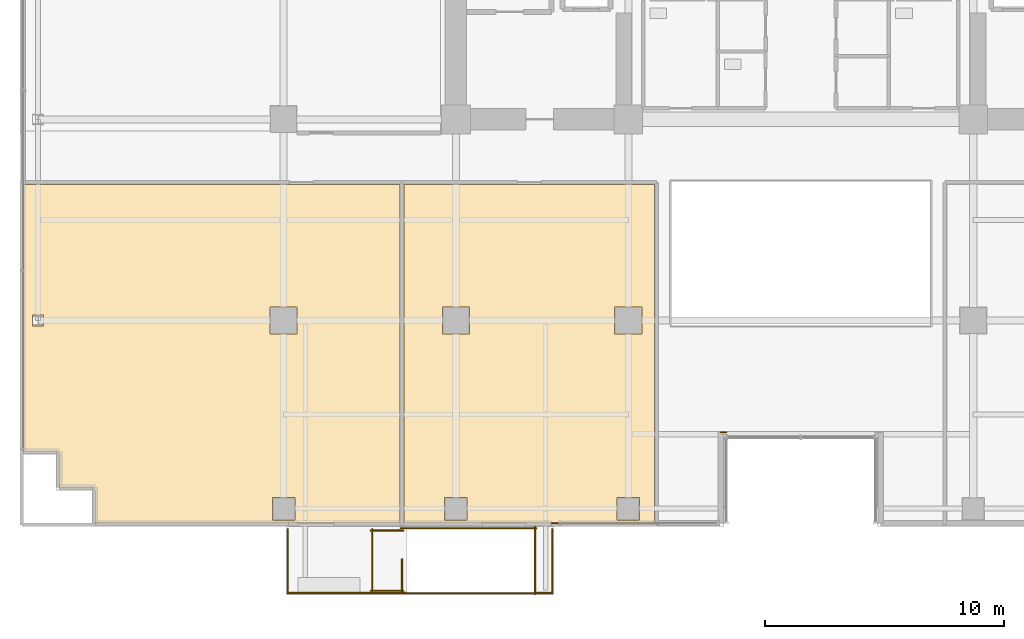
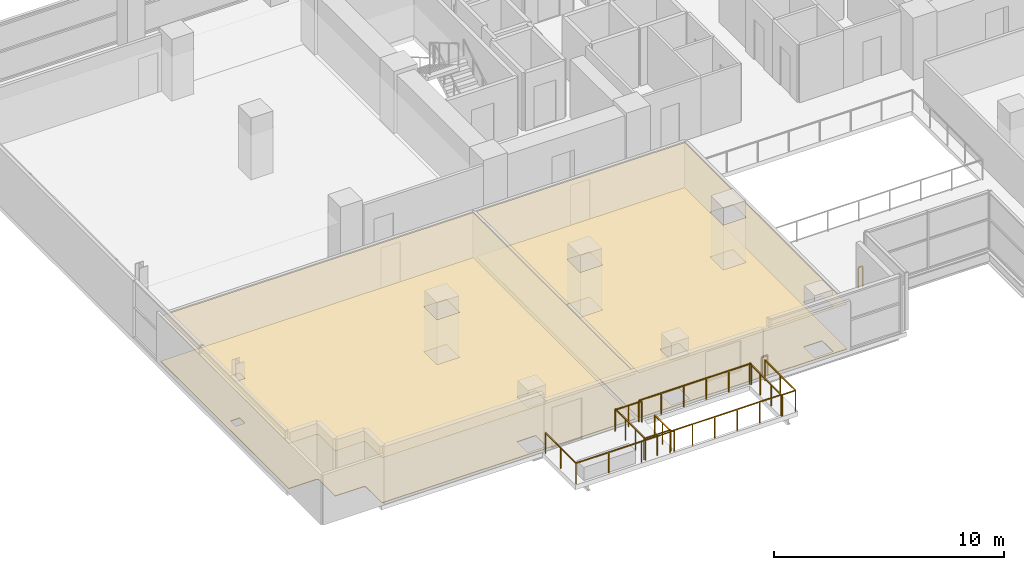
# One storey, part 26 of 30: 11 railings, 4 coverings.
"""IFC4 building model written with IfcOpenShell, lengths in metres."""

from ifc_helpers import new_model, si_unit, direction, frame, origin, origin_2d, place, context, subcontext, project, spatial, polyline, rectangle, outline, extrude, material, layer, layer_set, type_object, element, save


model = new_model("IFC4")

# Units and contexts
model_context = context("Model", 3, precision=1e-05, world=origin(), true_north=direction((0.0, 1.0)))
body_context = subcontext(model_context, "Body", "Model", "MODEL_VIEW")
ifc_project = project(units=[si_unit("LENGTHUNIT", "METRE"), si_unit("AREAUNIT", "SQUARE_METRE"), si_unit("VOLUMEUNIT", "CUBIC_METRE"), si_unit("PLANEANGLEUNIT", "RADIAN"), si_unit("MASSUNIT", "GRAM", prefix="KILO")], contexts=[model_context])

# Site, building, storey
site_placement = place(None, origin())
site = spatial("IfcSite", under=ifc_project, at=site_placement, CompositionType="ELEMENT")
building_placement = place(site_placement, origin())
building = spatial("IfcBuilding", under=site, at=building_placement, Name="Zarnakvel Exchange Tower", CompositionType="ELEMENT")
storey_placement = place(building_placement, frame((0.0, 0.0, 30.699951171875)))
storey = spatial("IfcBuildingStorey", under=building, at=storey_placement, Name="L07", CompositionType="ELEMENT", Elevation=30.699951171875)

# Coverings
ifc_material_1 = material(Name="Perforated Bronze Acoustic Metal Ceiling", Category="aluminium")
ifc_layer_1 = layer(ifc_material_1, 0.02001953125)
ifc_layer_set_1 = layer_set([ifc_layer_1], Name="Perforated Bronze Acoustic Metal Ceiling")
covering_type_1 = type_object("IfcCoveringType", Name="CLG-01", PredefinedType="CEILING", material=ifc_layer_set_1)
covering_1_placement = place(storey_placement, frame((0.0, 0.0, 2.405029296875)))
element("IfcCovering", 1, at=covering_1_placement, inside=storey, type_object=covering_type_1, Name="L07 Suspended Acoustic Ceiling (Electronic Trading Hall)", PredefinedType="CEILING", context=body_context, shape_type="SweptSolid", body=[
    extrude(outline(polyline([(-16.736083984375, -3.909912109375), (-16.736083984375, -18.050048828125), (-29.47998046875, -18.050048828125), (-29.47998046875, -16.699951171875), (-29.48046875, -16.688232421875), (-29.482421875, -16.676513671875), (-29.485107421875, -16.665283203125), (-29.489013671875, -16.654052734375), (-29.494140625, -16.643310546875), (-29.500244140625, -16.63330078125), (-29.50732421875, -16.623779296875), (-29.51513671875, -16.615234375), (-29.52392578125, -16.607177734375), (-29.533447265625, -16.600341796875), (-29.54345703125, -16.59423828125), (-29.55419921875, -16.589111328125), (-29.565185546875, -16.585205078125), (-29.57666015625, -16.582275390625), (-29.588134765625, -16.58056640625), (-29.60009765625, -16.580078125), (-30.97998046875, -16.580078125), (-30.97998046875, -15.199951171875), (-30.98046875, -15.188232421875), (-30.982421875, -15.176513671875), (-30.985107421875, -15.165283203125), (-30.989013671875, -15.154052734375), (-30.994140625, -15.143310546875), (-31.000244140625, -15.13330078125), (-31.00732421875, -15.123779296875), (-31.01513671875, -15.115234375), (-31.02392578125, -15.107177734375), (-31.033447265625, -15.100341796875), (-31.04345703125, -15.09423828125), (-31.05419921875, -15.089111328125), (-31.065185546875, -15.085205078125), (-31.07666015625, -15.082275390625), (-31.088134765625, -15.08056640625), (-31.10009765625, -15.080078125), (-32.449951171875, -15.080078125), (-32.449951171875, -3.909912109375), (-16.736083984375, -3.909912109375)]), holes=[polyline([(-21.030029296875, -10.169921875), (-21.030029296875, -9.030029296875), (-22.169921875, -9.030029296875), (-22.169921875, -10.169921875), (-21.030029296875, -10.169921875)]), polyline([(-21.1298828125, -17.919921875), (-21.1298828125, -16.97998046875), (-22.070068359375, -16.97998046875), (-22.070068359375, -17.919921875), (-21.1298828125, -17.919921875)]), polyline([(-32.075927734375, -9.83251953125), (-31.6240234375, -9.83251953125), (-31.6240234375, -9.367431640625), (-32.075927734375, -9.367431640625), (-32.075927734375, -9.83251953125)])]), origin(), (0.0, 0.0, 1.0), 0.02001953125),
])
covering_2_placement = place(storey_placement, frame((0.0, 0.0, 2.405029296875)))
element("IfcCovering", 2, at=covering_2_placement, inside=storey, type_object=covering_type_1, Name="L07 Suspended Acoustic Ceiling (Brokerage Workspace)", PredefinedType="CEILING", context=body_context, shape_type="SweptSolid", body=[
    extrude(outline(polyline([(-16.575927734375, -3.909912109375), (-6.10009765625, -3.909912109375), (-6.10009765625, -18.050048828125), (-16.575927734375, -18.050048828125), (-16.575927734375, -3.909912109375)]), holes=[polyline([(-7.77001953125, -10.169921875), (-6.6298828125, -10.169921875), (-6.6298828125, -9.030029296875), (-7.77001953125, -9.030029296875), (-7.77001953125, -10.169921875)]), polyline([(-6.72998046875, -17.919921875), (-6.72998046875, -16.97998046875), (-7.669921875, -16.97998046875), (-7.669921875, -17.919921875), (-6.72998046875, -17.919921875)]), polyline([(-13.830078125, -10.169921875), (-13.830078125, -9.030029296875), (-14.969970703125, -9.030029296875), (-14.969970703125, -10.169921875), (-13.830078125, -10.169921875)]), polyline([(-13.929931640625, -17.919921875), (-13.929931640625, -16.97998046875), (-14.8701171875, -16.97998046875), (-14.8701171875, -17.919921875), (-13.929931640625, -17.919921875)])]), origin(), (0.0, 0.0, 1.0), 0.02001953125),
])
ifc_material_2 = material(Name="Heavy-Duty Raised Access Floor Panel", Category="steel")
ifc_layer_2 = layer(ifc_material_2, 0.034912109375)
ifc_layer_set_2 = layer_set([ifc_layer_2], Name="Heavy-Duty Raised Access Floor Panel")
covering_type_2 = type_object("IfcCoveringType", Name="FLR-02", PredefinedType="FLOORING", material=ifc_layer_set_2)
covering_3_placement = place(storey_placement, origin())
element("IfcCovering", 3, at=covering_3_placement, inside=storey, type_object=covering_type_2, Name="L07 Floor Finish (Electronic Trading Hall)", PredefinedType="FLOORING", context=body_context, shape_type="SweptSolid", body=[
    extrude(outline(polyline([(-16.736083984375, -3.909912109375), (-16.736083984375, -18.050048828125), (-29.47998046875, -18.050048828125), (-29.47998046875, -16.699951171875), (-29.48046875, -16.688232421875), (-29.482421875, -16.676513671875), (-29.485107421875, -16.665283203125), (-29.489013671875, -16.654052734375), (-29.494140625, -16.643310546875), (-29.500244140625, -16.63330078125), (-29.50732421875, -16.623779296875), (-29.51513671875, -16.615234375), (-29.52392578125, -16.607177734375), (-29.533447265625, -16.600341796875), (-29.54345703125, -16.59423828125), (-29.55419921875, -16.589111328125), (-29.565185546875, -16.585205078125), (-29.57666015625, -16.582275390625), (-29.588134765625, -16.58056640625), (-29.60009765625, -16.580078125), (-30.97998046875, -16.580078125), (-30.97998046875, -15.199951171875), (-30.98046875, -15.188232421875), (-30.982421875, -15.176513671875), (-30.985107421875, -15.165283203125), (-30.989013671875, -15.154052734375), (-30.994140625, -15.143310546875), (-31.000244140625, -15.13330078125), (-31.00732421875, -15.123779296875), (-31.01513671875, -15.115234375), (-31.02392578125, -15.107177734375), (-31.033447265625, -15.100341796875), (-31.04345703125, -15.09423828125), (-31.05419921875, -15.089111328125), (-31.065185546875, -15.085205078125), (-31.07666015625, -15.082275390625), (-31.088134765625, -15.08056640625), (-31.10009765625, -15.080078125), (-32.449951171875, -15.080078125), (-32.449951171875, -3.909912109375), (-16.736083984375, -3.909912109375)]), holes=[polyline([(-21.030029296875, -10.169921875), (-21.030029296875, -9.030029296875), (-22.169921875, -9.030029296875), (-22.169921875, -10.169921875), (-21.030029296875, -10.169921875)]), polyline([(-21.1298828125, -17.919921875), (-21.1298828125, -16.97998046875), (-22.070068359375, -16.97998046875), (-22.070068359375, -17.919921875), (-21.1298828125, -17.919921875)]), polyline([(-32.075927734375, -9.83251953125), (-31.6240234375, -9.83251953125), (-31.6240234375, -9.367431640625), (-32.075927734375, -9.367431640625), (-32.075927734375, -9.83251953125)])]), origin(), (0.0, 0.0, 1.0), 0.03515625),
])
covering_4_placement = place(storey_placement, origin())
element("IfcCovering", 4, at=covering_4_placement, inside=storey, type_object=covering_type_2, Name="L07 Floor Finish (Brokerage Workspace)", PredefinedType="FLOORING", context=body_context, shape_type="SweptSolid", body=[
    extrude(outline(polyline([(-16.575927734375, -3.909912109375), (-6.10009765625, -3.909912109375), (-6.10009765625, -18.050048828125), (-16.575927734375, -18.050048828125), (-16.575927734375, -3.909912109375)]), holes=[polyline([(-7.77001953125, -10.169921875), (-6.6298828125, -10.169921875), (-6.6298828125, -9.030029296875), (-7.77001953125, -9.030029296875), (-7.77001953125, -10.169921875)]), polyline([(-6.72998046875, -17.919921875), (-6.72998046875, -16.97998046875), (-7.669921875, -16.97998046875), (-7.669921875, -17.919921875), (-6.72998046875, -17.919921875)]), polyline([(-13.830078125, -10.169921875), (-13.830078125, -9.030029296875), (-14.969970703125, -9.030029296875), (-14.969970703125, -10.169921875), (-13.830078125, -10.169921875)]), polyline([(-13.929931640625, -17.919921875), (-13.929931640625, -16.97998046875), (-14.8701171875, -16.97998046875), (-14.8701171875, -17.919921875), (-13.929931640625, -17.919921875)])]), origin(), (0.0, 0.0, 1.0), 0.03515625),
])

# Railings
ifc_material_3 = material(Name="Architectural Bronze Anodised Aluminium", Category="aluminium")
railing_type_1 = type_object("IfcRailingType", Name="GR-02", PredefinedType="GUARDRAIL", material=ifc_material_3)
railing_1_placement = place(storey_placement, frame((-21.419921875, -18.320068359375, 0.0)))
element("IfcRailing", 5, at=railing_1_placement, inside=storey, type_object=railing_type_1, Name="L07 Spiral Sky-Terrace West Perimeter Guardrail", PredefinedType="GUARDRAIL", context=body_context, shape_type="SweptSolid", body=[
    extrude(rectangle(XDim=0.048095703125, YDim=0.048095703125, at=origin_2d()), frame((0.0, 0.0, 1.09619140625), z_axis=(0.0, -1.0, 0.0), x_axis=(1.0, 0.0, 0.0)), (0.0, 0.0, 1.0), 2.659912109375),
    extrude(rectangle(XDim=0.048095703125, YDim=0.048095703125, at=origin_2d()), frame((0.0, -2.659912109375, 1.09619140625), z_axis=(1.0, 0.0, 0.0), x_axis=(0.0, 1.0, 0.0)), (0.0, 0.0, 1.0), 4.93994140625),
    extrude(rectangle(XDim=0.0419921875, YDim=0.0419921875, at=origin_2d()), origin(), (0.0, 0.0, 1.0), 1.072021484375),
    extrude(rectangle(XDim=0.0419921875, YDim=0.0419921875, at=origin_2d()), frame((0.0, -1.330078125, 0.0)), (0.0, 0.0, 1.0), 1.072021484375),
    extrude(rectangle(XDim=0.0419921875, YDim=0.0419921875, at=origin_2d()), frame((0.0, -2.659912109375, 0.0)), (0.0, 0.0, 1.0), 1.072021484375),
    extrude(rectangle(XDim=0.0419921875, YDim=0.0419921875, at=origin_2d()), frame((1.646728515625, -2.659912109375, 0.0)), (0.0, 0.0, 1.0), 1.072021484375),
    extrude(rectangle(XDim=0.0419921875, YDim=0.0419921875, at=origin_2d()), frame((3.293212890625, -2.659912109375, 0.0)), (0.0, 0.0, 1.0), 1.072021484375),
    extrude(rectangle(XDim=0.0419921875, YDim=0.0419921875, at=origin_2d()), frame((4.93994140625, -2.659912109375, 0.0)), (0.0, 0.0, 1.0), 1.072021484375),
])
railing_2_placement = place(storey_placement, frame((-11.110107421875, -20.97998046875, 0.0)))
element("IfcRailing", 6, at=railing_2_placement, inside=storey, type_object=railing_type_1, Name="L07 Spiral Sky-Terrace East Corner Guardrail", PredefinedType="GUARDRAIL", context=body_context, shape_type="SweptSolid", body=[
    extrude(rectangle(XDim=0.048095703125, YDim=0.048095703125, at=origin_2d()), frame((0.0, 0.0, 1.09619140625), z_axis=(1.0, 0.0, 0.0), x_axis=(0.0, 1.0, 0.0)), (0.0, 0.0, 1.0), 0.730224609375),
    extrude(rectangle(XDim=0.048095703125, YDim=0.048095703125, at=origin_2d()), frame((0.730224609375, 0.0, 1.09619140625), z_axis=(0.0, 1.0, 0.0), x_axis=(-1.0, 0.0, 0.0)), (0.0, 0.0, 1.0), 2.659912109375),
    extrude(rectangle(XDim=0.0419921875, YDim=0.0419921875, at=origin_2d()), origin(), (0.0, 0.0, 1.0), 1.072021484375),
    extrude(rectangle(XDim=0.0419921875, YDim=0.0419921875, at=origin_2d()), frame((0.730224609375, 0.0, 0.0)), (0.0, 0.0, 1.0), 1.072021484375),
    extrude(rectangle(XDim=0.0419921875, YDim=0.0419921875, at=origin_2d()), frame((0.730224609375, 1.330078125, 0.0)), (0.0, 0.0, 1.0), 1.072021484375),
    extrude(rectangle(XDim=0.0419921875, YDim=0.0419921875, at=origin_2d()), frame((0.730224609375, 2.659912109375, 0.0)), (0.0, 0.0, 1.0), 1.072021484375),
])
railing_3_placement = place(storey_placement, frame((-3.1201171875, -14.260009765625, 0.0)))
element("IfcRailing", 7, at=railing_3_placement, inside=storey, type_object=railing_type_1, Name="L07 Corner Spandrel Balustrade #19", PredefinedType="GUARDRAIL", context=body_context, shape_type="SweptSolid", body=[
    extrude(rectangle(XDim=0.048095703125, YDim=0.048095703125, at=origin_2d()), frame((0.0, 0.0, 1.09619140625), z_axis=(-1.0, 0.0, 0.0), x_axis=(0.0, -1.0, 0.0)), (0.0, 0.0, 1.0), 0.219970703125),
    extrude(rectangle(XDim=0.0419921875, YDim=0.0419921875, at=origin_2d()), origin(), (0.0, 0.0, 1.0), 1.072021484375),
    extrude(rectangle(XDim=0.0419921875, YDim=0.0419921875, at=origin_2d()), frame((-0.219970703125, 0.0, 0.0)), (0.0, 0.0, 1.0), 1.072021484375),
])
railing_4_placement = place(storey_placement, frame((-10.10009765625, -18.06005859375, 0.0)))
element("IfcRailing", 8, at=railing_4_placement, inside=storey, type_object=railing_type_1, Name="L07 Corner Spandrel Balustrade #21", PredefinedType="GUARDRAIL", context=body_context, shape_type="SweptSolid", body=[
    extrude(rectangle(XDim=0.048095703125, YDim=0.048095703125, at=origin_2d()), frame((0.0, 0.0, 1.09619140625), z_axis=(-1.0, 0.0, 0.0), x_axis=(0.0, -1.0, 0.0)), (0.0, 0.0, 1.0), 0.2998046875),
    extrude(rectangle(XDim=0.0419921875, YDim=0.0419921875, at=origin_2d()), origin(), (0.0, 0.0, 1.0), 1.072021484375),
    extrude(rectangle(XDim=0.0419921875, YDim=0.0419921875, at=origin_2d()), frame((-0.2998046875, 0.0, 0.0)), (0.0, 0.0, 1.0), 1.072021484375),
])
railing_type_2 = type_object("IfcRailingType", Name="SG-01", PredefinedType="GUARDRAIL", material=ifc_material_3)
railing_5_placement = place(storey_placement, frame((-16.64990234375, -20.93994140625, 0.0)))
element("IfcRailing", 9, at=railing_5_placement, inside=storey, type_object=railing_type_2, Name="L07 ST-07 top well guard 1", PredefinedType="GUARDRAIL", context=body_context, shape_type="SweptSolid", body=[
    extrude(rectangle(XDim=0.048095703125, YDim=0.048095703125, at=origin_2d()), frame((0.0, 0.0, 1.1259765625), z_axis=(0.0, 1.0, 0.0), x_axis=(-1.0, 0.0, 0.0)), (0.0, 0.0, 1.0), 1.369873046875),
    extrude(rectangle(XDim=0.0419921875, YDim=0.0419921875, at=origin_2d()), origin(), (0.0, 0.0, 1.0), 1.101806640625),
    extrude(rectangle(XDim=0.0419921875, YDim=0.0419921875, at=origin_2d()), frame((0.0, 0.68505859375, 0.0)), (0.0, 0.0, 1.0), 1.101806640625),
    extrude(rectangle(XDim=0.0419921875, YDim=0.0419921875, at=origin_2d()), frame((0.0, 1.369873046875, 0.0)), (0.0, 0.0, 1.0), 1.101806640625),
])
for number, where, name in (
    (10, (-16.699951171875, -20.989990234375, 0.0), "L07 ST-07 top well guard 2"),
    (11, (-16.699951171875, -18.27001953125, 0.0), "L07 ST-07 top well guard 3"),
):
    element("IfcRailing", number, at=place(storey_placement, frame(where)), inside=storey, type_object=railing_type_2, Name=name, PredefinedType="GUARDRAIL", context=body_context, shape_type="SweptSolid", body=[
        extrude(rectangle(XDim=0.048095703125, YDim=0.048095703125, at=origin_2d()), frame((0.0, 0.0, 1.1259765625), z_axis=(1.0, 0.0, 0.0), x_axis=(0.0, 1.0, 0.0)), (0.0, 0.0, 1.0), 5.64990234375),
        extrude(rectangle(XDim=0.0419921875, YDim=0.0419921875, at=origin_2d()), origin(), (0.0, 0.0, 1.0), 1.101806640625),
        extrude(rectangle(XDim=0.0419921875, YDim=0.0419921875, at=origin_2d()), frame((1.1298828125, 0.0, 0.0)), (0.0, 0.0, 1.0), 1.101806640625),
        extrude(rectangle(XDim=0.0419921875, YDim=0.0419921875, at=origin_2d()), frame((2.260009765625, 0.0, 0.0)), (0.0, 0.0, 1.0), 1.101806640625),
        extrude(rectangle(XDim=0.0419921875, YDim=0.0419921875, at=origin_2d()), frame((3.389892578125, 0.0, 0.0)), (0.0, 0.0, 1.0), 1.101806640625),
        extrude(rectangle(XDim=0.0419921875, YDim=0.0419921875, at=origin_2d()), frame((4.52001953125, 0.0, 0.0)), (0.0, 0.0, 1.0), 1.101806640625),
        extrude(rectangle(XDim=0.0419921875, YDim=0.0419921875, at=origin_2d()), frame((5.64990234375, 0.0, 0.0)), (0.0, 0.0, 1.0), 1.101806640625),
    ])
railing_6_placement = place(storey_placement, frame((-11.10009765625, -21.0400390625, 0.0)))
element("IfcRailing", 12, at=railing_6_placement, inside=storey, type_object=railing_type_2, Name="L07 ST-07 top well guard 4", PredefinedType="GUARDRAIL", context=body_context, shape_type="SweptSolid", body=[
    extrude(rectangle(XDim=0.048095703125, YDim=0.048095703125, at=origin_2d()), frame((0.0, 0.0, 1.1259765625), z_axis=(0.0, 1.0, 0.0), x_axis=(-1.0, 0.0, 0.0)), (0.0, 0.0, 1.0), 2.820068359375),
    extrude(rectangle(XDim=0.0419921875, YDim=0.0419921875, at=origin_2d()), origin(), (0.0, 0.0, 1.0), 1.101806640625),
    extrude(rectangle(XDim=0.0419921875, YDim=0.0419921875, at=origin_2d()), frame((0.0, 0.93994140625, 0.0)), (0.0, 0.0, 1.0), 1.101806640625),
    extrude(rectangle(XDim=0.0419921875, YDim=0.0419921875, at=origin_2d()), frame((0.0, 1.880126953125, 0.0)), (0.0, 0.0, 1.0), 1.101806640625),
    extrude(rectangle(XDim=0.0419921875, YDim=0.0419921875, at=origin_2d()), frame((0.0, 2.820068359375, 0.0)), (0.0, 0.0, 1.0), 1.101806640625),
])
for number, where, name in (
    (13, (-17.949951171875, -20.889892578125, 0.0), "L07 ST-07 top well guard 5"),
    (14, (-17.949951171875, -18.3701171875, 0.0), "L07 ST-07 top well guard 6"),
):
    element("IfcRailing", number, at=place(storey_placement, frame(where)), inside=storey, type_object=railing_type_2, Name=name, PredefinedType="GUARDRAIL", context=body_context, shape_type="SweptSolid", body=[
        extrude(rectangle(XDim=0.048095703125, YDim=0.048095703125, at=origin_2d()), frame((0.0, 0.0, 1.1259765625), z_axis=(1.0, 0.0, 0.0), x_axis=(0.0, 1.0, 0.0)), (0.0, 0.0, 1.0), 1.349853515625),
        extrude(rectangle(XDim=0.0419921875, YDim=0.0419921875, at=origin_2d()), origin(), (0.0, 0.0, 1.0), 1.101806640625),
        extrude(rectangle(XDim=0.0419921875, YDim=0.0419921875, at=origin_2d()), frame((0.6748046875, 0.0, 0.0)), (0.0, 0.0, 1.0), 1.101806640625),
        extrude(rectangle(XDim=0.0419921875, YDim=0.0419921875, at=origin_2d()), frame((1.349853515625, 0.0, 0.0)), (0.0, 0.0, 1.0), 1.101806640625),
    ])
railing_7_placement = place(storey_placement, frame((-17.89990234375, -20.93994140625, 0.0)))
element("IfcRailing", 15, at=railing_7_placement, inside=storey, type_object=railing_type_2, Name="L07 ST-07 top well guard 7", PredefinedType="GUARDRAIL", context=body_context, shape_type="SweptSolid", body=[
    extrude(rectangle(XDim=0.048095703125, YDim=0.048095703125, at=origin_2d()), frame((0.0, 0.0, 1.1259765625), z_axis=(0.0, 1.0, 0.0), x_axis=(-1.0, 0.0, 0.0)), (0.0, 0.0, 1.0), 2.619873046875),
    extrude(rectangle(XDim=0.0419921875, YDim=0.0419921875, at=origin_2d()), origin(), (0.0, 0.0, 1.0), 1.101806640625),
    extrude(rectangle(XDim=0.0419921875, YDim=0.0419921875, at=origin_2d()), frame((0.0, 0.873291015625, 0.0)), (0.0, 0.0, 1.0), 1.101806640625),
    extrude(rectangle(XDim=0.0419921875, YDim=0.0419921875, at=origin_2d()), frame((0.0, 1.74658203125, 0.0)), (0.0, 0.0, 1.0), 1.101806640625),
    extrude(rectangle(XDim=0.0419921875, YDim=0.0419921875, at=origin_2d()), frame((0.0, 2.619873046875, 0.0)), (0.0, 0.0, 1.0), 1.101806640625),
])

save(model, "model.ifc")
